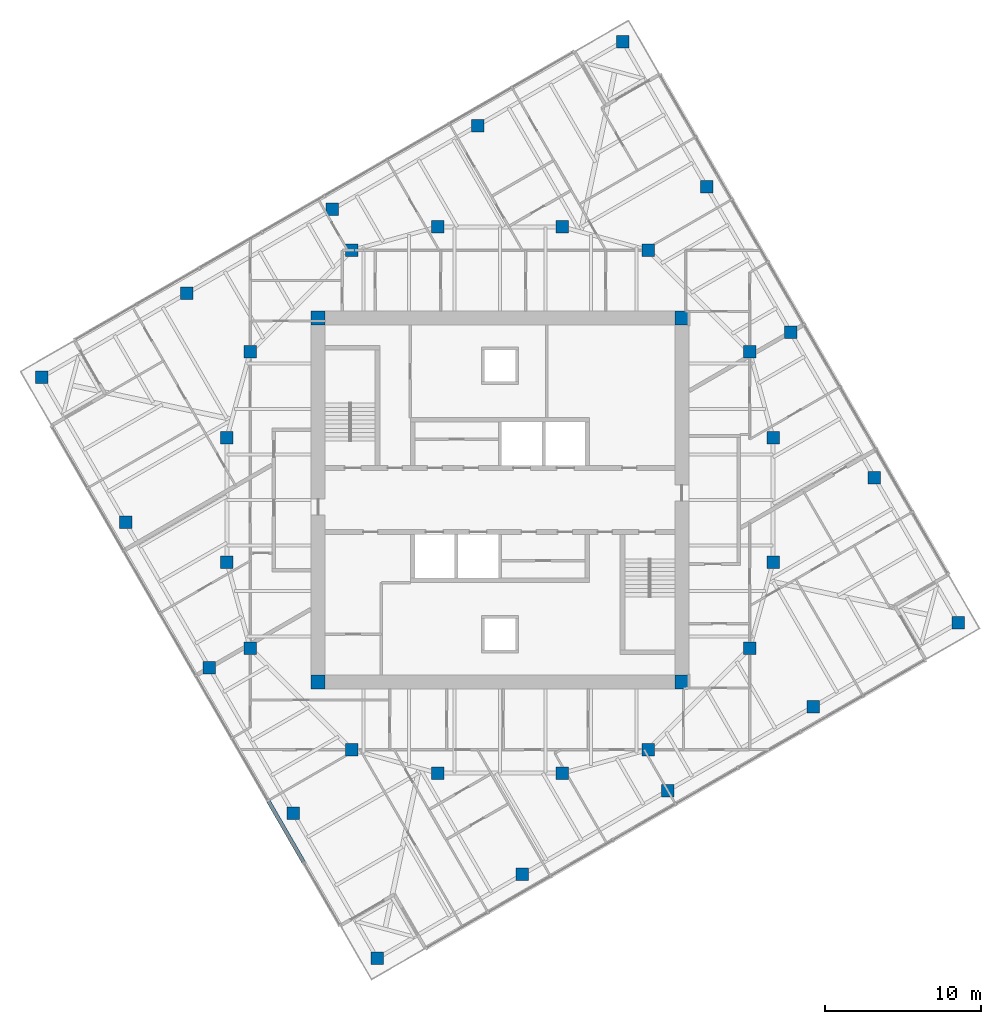
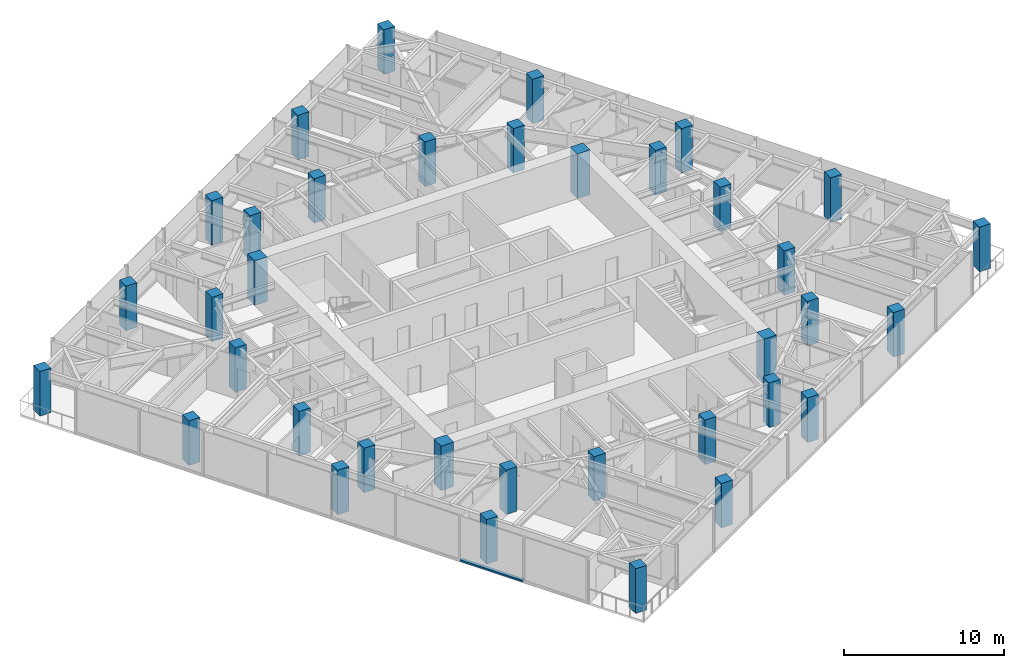
# One storey, part 1 of 12: 36 columns, 1 member, 1 element without a shape of its own.
"""IFC4 building model written with IfcOpenShell, lengths in metres."""

from ifc_helpers import new_model, si_unit, direction, frame, origin, origin_2d, place, context, subcontext, project, spatial, rectangle, extrude, material, material_profile, profile_set, type_object, element, aggregate, save


model = new_model("IFC4")

# Units and contexts
model_context = context("Model", 3, precision=1e-05, world=origin(), true_north=direction((0.0, 1.0)))
body_context = subcontext(model_context, "Body", "Model", "MODEL_VIEW")
ifc_project = project(units=[si_unit("LENGTHUNIT", "METRE"), si_unit("AREAUNIT", "SQUARE_METRE"), si_unit("VOLUMEUNIT", "CUBIC_METRE"), si_unit("PLANEANGLEUNIT", "RADIAN"), si_unit("MASSUNIT", "GRAM", prefix="KILO")], contexts=[model_context])

# Site, building, storey
site_placement = place(None, origin())
site = spatial("IfcSite", under=ifc_project, at=site_placement, CompositionType="ELEMENT")
building_placement = place(site_placement, origin())
building = spatial("IfcBuilding", under=site, at=building_placement, Name="Torsade Residences", CompositionType="ELEMENT")
storey_placement = place(building_placement, frame((0.0, 0.0, 218.39990234375)))
storey = spatial("IfcBuildingStorey", under=building, at=storey_placement, Name="L60", CompositionType="ELEMENT", Elevation=218.39990234375)

# Columns
ifc_material_1 = material(Name="Concrete 80 MPa", Category="concrete")
ifc_material_profile_1 = material_profile(ifc_material_1, rectangle(XDim=0.89990234375, YDim=0.89990234375, at=origin_2d()), Name="RC 900x900")
ifc_profile_set_1 = profile_set([ifc_material_profile_1], Name="Concrete 80 MPa")
column_type_1 = type_object("IfcColumnType", Name="CORE CORNER COLUMN RC 900x900", PredefinedType="COLUMN", material=ifc_profile_set_1)
for number, where, z_axis, x_axis, name in (
    (1, (28.35009765625, 18.35009765625, 0.0), (0.0, 0.0, 1.0), (1.0, 0.0, 0.0), "Core corner column CC1 L60"),
    (2, (51.64990234375, 18.35009765625, 0.0), (0.0, 0.0, 1.0), (1.0, 0.0, 0.0), "Core corner column CC2 L60"),
    (3, (51.64990234375, 41.64990234375, 0.0), (0.0, 0.0, 1.0), (1.0, 0.0, 0.0), "Core corner column CC3 L60"),
    (4, (28.35009765625, 41.64990234375, 0.0), (0.0, 0.0, 1.0), (1.0, 0.0, 0.0), "Core corner column CC4 L60"),
):
    element("IfcColumn", number, at=place(storey_placement, frame(where, z_axis=z_axis, x_axis=x_axis)), inside=storey, type_object=column_type_1, Name=name, PredefinedType="COLUMN", context=body_context, shape_type="SweptSolid", body=[
        extrude(rectangle(XDim=0.89990234375, YDim=0.89990234375, at=origin_2d()), origin(), (0.0, 0.0, 1.0), 3.400146484375),
    ])
ifc_material_2 = material(Name="Concrete 80 MPa", Category="concrete")
ifc_material_profile_2 = material_profile(ifc_material_2, rectangle(XDim=0.800048828125, YDim=0.800048828125, at=origin_2d()), Name="RC 800x800")
ifc_profile_set_2 = profile_set([ifc_material_profile_2], Name="Concrete 80 MPa")
column_type_2 = type_object("IfcColumnType", Name="INNER RING COLUMN RC 800x800", PredefinedType="COLUMN", material=ifc_profile_set_2)
for number, where, z_axis, x_axis, name in (
    (5, (57.5, 26.0, 0.0), (0.0, 0.0, 1.0), (1.0, 0.0, 0.0), "Inner ring column IR01 L60"),
    (6, (57.5, 34.0, 0.0), (0.0, 0.0, 1.0), (1.0, 0.0, 0.0), "Inner ring column IR02 L60"),
    (7, (56.0, 39.5, 0.0), (0.0, 0.0, 1.0), (1.0, 0.0, 0.0), "Inner ring column IR03 L60"),
    (8, (49.5, 46.0, 0.0), (0.0, 0.0, 1.0), (1.0, 0.0, 0.0), "Inner ring column IR04 L60"),
    (9, (44.0, 47.5, 0.0), (0.0, 0.0, 1.0), (1.0, 0.0, 0.0), "Inner ring column IR05 L60"),
    (10, (36.0, 47.5, 0.0), (0.0, 0.0, 1.0), (1.0, 0.0, 0.0), "Inner ring column IR06 L60"),
    (11, (30.5, 46.0, 0.0), (0.0, 0.0, 1.0), (1.0, 0.0, 0.0), "Inner ring column IR07 L60"),
    (12, (24.0, 39.5, 0.0), (0.0, 0.0, 1.0), (1.0, 0.0, 0.0), "Inner ring column IR08 L60"),
    (13, (22.5, 34.0, 0.0), (0.0, 0.0, 1.0), (1.0, 0.0, 0.0), "Inner ring column IR09 L60"),
    (14, (22.5, 26.0, 0.0), (0.0, 0.0, 1.0), (1.0, 0.0, 0.0), "Inner ring column IR10 L60"),
    (15, (24.0, 20.5, 0.0), (0.0, 0.0, 1.0), (1.0, 0.0, 0.0), "Inner ring column IR11 L60"),
    (16, (30.5, 14.0, 0.0), (0.0, 0.0, 1.0), (1.0, 0.0, 0.0), "Inner ring column IR12 L60"),
    (17, (36.0, 12.5, 0.0), (0.0, 0.0, 1.0), (1.0, 0.0, 0.0), "Inner ring column IR13 L60"),
    (18, (44.0, 12.5, 0.0), (0.0, 0.0, 1.0), (1.0, 0.0, 0.0), "Inner ring column IR14 L60"),
    (19, (49.5, 14.0, 0.0), (0.0, 0.0, 1.0), (1.0, 0.0, 0.0), "Inner ring column IR15 L60"),
    (20, (56.0, 20.5, 0.0), (0.0, 0.0, 1.0), (1.0, 0.0, 0.0), "Inner ring column IR16 L60"),
):
    element("IfcColumn", number, at=place(storey_placement, frame(where, z_axis=z_axis, x_axis=x_axis)), inside=storey, type_object=column_type_2, Name=name, PredefinedType="COLUMN", context=body_context, shape_type="SweptSolid", body=[
        extrude(rectangle(XDim=0.800048828125, YDim=0.800048828125, at=origin_2d()), origin(), (0.0, 0.0, 1.0), 3.400146484375),
    ])
ifc_material_3 = material(Name="Concrete 80 MPa", Category="concrete")
ifc_material_profile_3 = material_profile(ifc_material_3, rectangle(XDim=0.800048828125, YDim=0.800048828125, at=origin_2d()), Name="RC 800x800")
ifc_profile_set_3 = profile_set([ifc_material_profile_3], Name="Concrete 80 MPa")
column_type_3 = type_object("IfcColumnType", Name="TOWER COLUMN RC 800x800", PredefinedType="COLUMN", material=ifc_profile_set_3)
for number, where, z_axis, x_axis, name in (
    (21, (32.13037109375, 0.63037109375, 0.0), (0.0, 0.0, 1.0), (1.0, 0.0, 0.0), "Column TC7-01 L60"),
    (22, (41.440185546875, 6.00537109375, 0.0), (0.0, 0.0, 1.0), (1.0, 0.0, 0.0), "Column TC7-02 L60"),
    (23, (50.75, 11.38037109375, 0.0), (0.0, 0.0, 1.0), (1.0, 0.0, 0.0), "Column TC7-03 L60"),
    (24, (60.059814453125, 16.75537109375, 0.0), (0.0, 0.0, 1.0), (1.0, 0.0, 0.0), "Column TC7-04 L60"),
    (25, (69.36962890625, 22.13037109375, 0.0), (0.0, 0.0, 1.0), (1.0, 0.0, 0.0), "Column TC7-05 L60"),
    (26, (63.99462890625, 31.440185546875, 0.0), (0.0, 0.0, 1.0), (1.0, 0.0, 0.0), "Column TC7-06 L60"),
    (27, (58.61962890625, 40.75, 0.0), (0.0, 0.0, 1.0), (1.0, 0.0, 0.0), "Column TC7-07 L60"),
    (28, (53.24462890625, 50.059814453125, 0.0), (0.0, 0.0, 1.0), (1.0, 0.0, 0.0), "Column TC7-08 L60"),
    (29, (47.86962890625, 59.36962890625, 0.0), (0.0, 0.0, 1.0), (1.0, 0.0, 0.0), "Column TC7-09 L60"),
    (30, (38.559814453125, 53.99462890625, 0.0), (0.0, 0.0, 1.0), (1.0, 0.0, 0.0), "Column TC7-10 L60"),
    (31, (29.25, 48.61962890625, 0.0), (0.0, 0.0, 1.0), (1.0, 0.0, 0.0), "Column TC7-11 L60"),
    (32, (19.940185546875, 43.24462890625, 0.0), (0.0, 0.0, 1.0), (1.0, 0.0, 0.0), "Column TC7-12 L60"),
    (33, (10.63037109375, 37.86962890625, 0.0), (0.0, 0.0, 1.0), (1.0, 0.0, 0.0), "Column TC7-13 L60"),
    (34, (16.00537109375, 28.559814453125, 0.0), (0.0, 0.0, 1.0), (1.0, 0.0, 0.0), "Column TC7-14 L60"),
    (35, (21.38037109375, 19.25, 0.0), (0.0, 0.0, 1.0), (1.0, 0.0, 0.0), "Column TC7-15 L60"),
    (36, (26.75537109375, 9.940185546875, 0.0), (0.0, 0.0, 1.0), (1.0, 0.0, 0.0), "Column TC7-16 L60"),
):
    element("IfcColumn", number, at=place(storey_placement, frame(where, z_axis=z_axis, x_axis=x_axis)), inside=storey, type_object=column_type_3, Name=name, PredefinedType="COLUMN", context=body_context, shape_type="SweptSolid", body=[
        extrude(rectangle(XDim=0.800048828125, YDim=0.800048828125, at=origin_2d()), origin(), (0.0, 0.0, 1.0), 3.400146484375),
    ])

# Curtain wall, member
ifc_material_4 = material(Name="Aluminium and glass", Category="aluminium")
curtain_wall_type = type_object("IfcCurtainWallType", Name="FRITTED GLASS CURTAIN WALL HIGH ZONE", PredefinedType="NOTDEFINED", material=ifc_material_4)
curtain_wall_placement = place(storey_placement, origin())
curtain_wall = element("IfcCurtainWall", 37, at=curtain_wall_placement, inside=storey, type_object=curtain_wall_type, Name="Curtain wall L60 face 10", PredefinedType="NOTDEFINED")
ifc_material_5 = material(Name="Aluminium transom", Category="aluminium")
ifc_material_profile_4 = material_profile(ifc_material_5, rectangle(XDim=0.25, YDim=0.1201171875, at=origin_2d()), Name="HIGH ZONE CURTAIN WALL TRANSOM 250x120")
ifc_profile_set_4 = profile_set([ifc_material_profile_4], Name="Aluminium transom")
member_type = type_object("IfcMemberType", Name="HIGH ZONE CURTAIN WALL TRANSOM 250x120", PredefinedType="USERDEFINED", material=ifc_profile_set_4)
member_placement = place(storey_placement, frame((25.164306640625, 10.696044921875, 0.06005859375), z_axis=(0.500015112013, -0.866016678684, 0.0), x_axis=(0.866016678684, 0.500015112013, 0.0)))
member = element("IfcMember", 38, at=member_placement, type_object=member_type, Name="Transom 7.1", ObjectType="TRANSOM", PredefinedType="USERDEFINED", context=body_context, shape_type="SweptSolid", body=[
    extrude(rectangle(XDim=0.25, YDim=0.1201171875, at=origin_2d()), origin(), (0.0, 0.0, 1.0), 4.525146484375),
])
aggregate(curtain_wall, [member])

save(model, "model.ifc")
